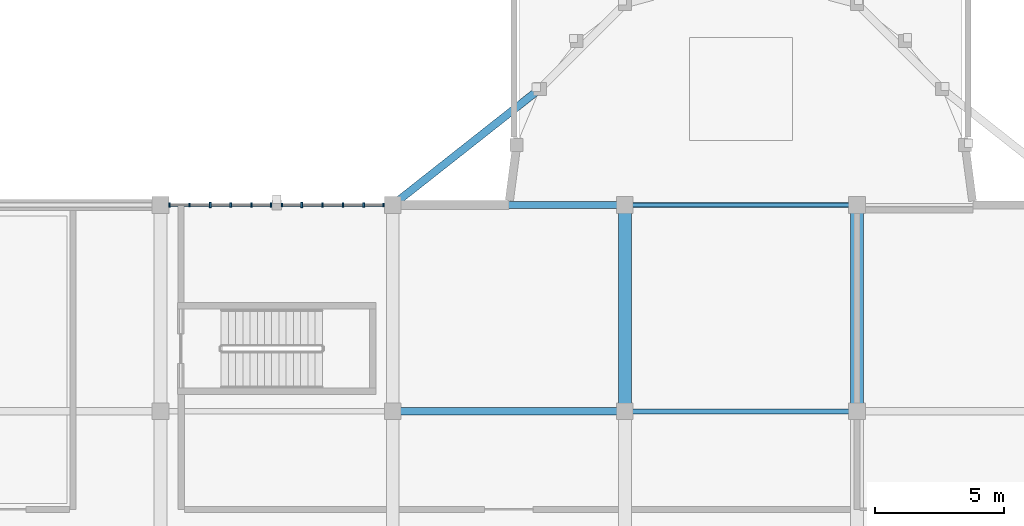
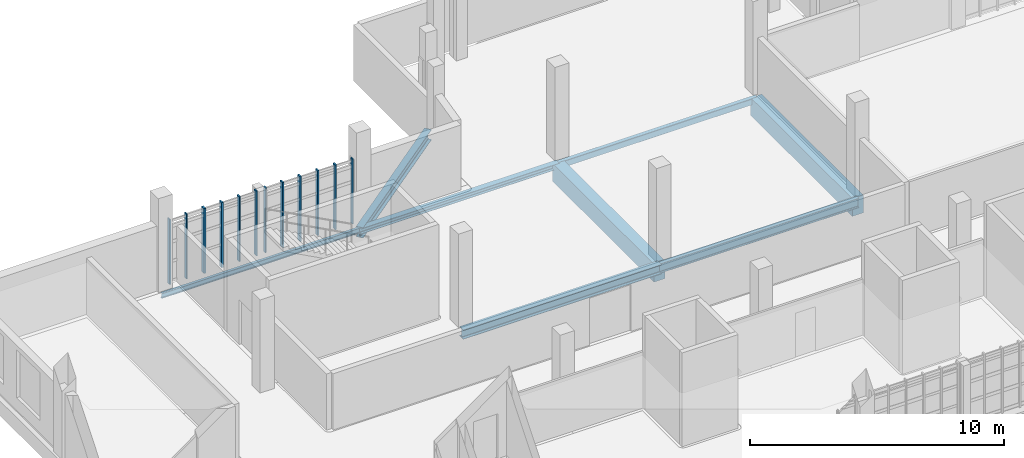
# One storey, part 24 of 125: 12 members, 8 beams, 2 elements without a shape of their own.
"""IFC4 building model written with IfcOpenShell, lengths in metres."""

from ifc_helpers import new_model, si_unit, direction, frame, origin, origin_2d, place, context, subcontext, project, spatial, rectangle, hollow_rectangle, i_section, extrude, material, material_profile, profile_set, type_object, element, aggregate, save


model = new_model("IFC4")

# Units and contexts
model_context = context("Model", 3, precision=1e-05, world=origin(), true_north=direction((0.0, 1.0)))
body_context = subcontext(model_context, "Body", "Model", "MODEL_VIEW")
ifc_project = project(units=[si_unit("LENGTHUNIT", "METRE"), si_unit("AREAUNIT", "SQUARE_METRE"), si_unit("VOLUMEUNIT", "CUBIC_METRE"), si_unit("PLANEANGLEUNIT", "RADIAN"), si_unit("MASSUNIT", "GRAM", prefix="KILO")], contexts=[model_context])

# Site, building, storey
site_placement = place(None, origin())
site = spatial("IfcSite", under=ifc_project, at=site_placement, CompositionType="ELEMENT")
building_placement = place(site_placement, origin())
building = spatial("IfcBuilding", under=site, at=building_placement, Name="Serraforn Aerial Cableway Station", CompositionType="ELEMENT")
storey_placement = place(building_placement, frame((0.0, 0.0, 4.5)))
storey = spatial("IfcBuildingStorey", under=building, at=storey_placement, Name="L01", CompositionType="ELEMENT", Elevation=4.5)

# Beams
ifc_material_1 = material(Name="Concrete C35/45", Category="concrete")
ifc_material_profile_1 = material_profile(ifc_material_1, rectangle(XDim=0.5, YDim=0.85009765625, at=origin_2d()), Name="RC 500x850")
ifc_profile_set_1 = profile_set([ifc_material_profile_1], Name="Concrete C35/45")
beam_type_1 = type_object("IfcBeamType", Name="BM-RC-500x850", PredefinedType="USERDEFINED", material=ifc_profile_set_1)
for number, where, z_axis, x_axis, name in (
    (1, (54.60009765625, 34.0, -0.7451171875), (0.0, 1.0, 0.0), (-1.0, 0.0, 0.0), "Grid Girder Y CV L01 X4-3"),
    (2, (63.60009765625, 34.0, -0.7451171875), (0.0, 1.0, 0.0), (-1.0, 0.0, 0.0), "Grid Girder Y CV L01 X5-3"),
):
    element("IfcBeam", number, at=place(storey_placement, frame(where, z_axis=z_axis, x_axis=x_axis)), inside=storey, type_object=beam_type_1, Name=name, ObjectType="GIRDER", PredefinedType="USERDEFINED", context=body_context, shape_type="SweptSolid", body=[
        extrude(rectangle(XDim=0.5, YDim=0.85009765625, at=origin_2d()), origin(), (0.0, 0.0, 1.0), 8.0),
    ])
ifc_material_2 = material(Name="Steel S355JR", Category="steel")
ifc_material_profile_2 = material_profile(ifc_material_2, i_section(OverallWidth=0.300048828125, OverallDepth=0.449951171875, WebThickness=0.011474609375, FlangeThickness=0.02099609375, FilletRadius=0.027099609375, at=origin_2d()), Name="HEA 450")
ifc_profile_set_2 = profile_set([ifc_material_profile_2], Name="Steel S355JR")
beam_type_2 = type_object("IfcBeamType", Name="BM-ST-HEA450", PredefinedType="USERDEFINED", material=ifc_profile_set_2)
beam_1_placement = place(storey_placement, frame((45.60009765625, 34.0, -0.544921875), z_axis=(1.0, 0.0, 0.0), x_axis=(0.0, 1.0, 0.0)))
element("IfcBeam", 3, at=beam_1_placement, inside=storey, type_object=beam_type_2, Name="Grid Girder X CV L01 Y3-3", ObjectType="GIRDER", PredefinedType="USERDEFINED", context=body_context, shape_type="SweptSolid", body=[
    extrude(i_section(OverallWidth=0.300048828125, OverallDepth=0.449951171875, WebThickness=0.011474609375, FlangeThickness=0.02099609375, FilletRadius=0.027099609375, at=origin_2d()), origin(), (0.0, 0.0, 1.0), 9.0),
])
ifc_material_3 = material(Name="Steel S355J2", Category="steel")
ifc_material_profile_3 = material_profile(ifc_material_3, i_section(OverallWidth=0.300048828125, OverallDepth=0.5, WebThickness=0.011962890625, FlangeThickness=0.02294921875, FilletRadius=0.027099609375, at=origin_2d()), Name="HEA 500")
ifc_profile_set_3 = profile_set([ifc_material_profile_3], Name="Steel S355J2")
beam_type_3 = type_object("IfcBeamType", Name="BM-ST-HEA500", PredefinedType="USERDEFINED", material=ifc_profile_set_3)
beam_2_placement = place(storey_placement, frame((45.60009765625, 42.0, -0.56494140625), z_axis=(0.785189683878, 0.619255327253, 0.0), x_axis=(-0.619255327253, 0.785189683878, 0.0)))
element("IfcBeam", 4, at=beam_2_placement, inside=storey, type_object=beam_type_3, Name="Apse Ring Girder L01-1", ObjectType="GIRDER", PredefinedType="USERDEFINED", context=body_context, shape_type="SweptSolid", body=[
    extrude(i_section(OverallWidth=0.300048828125, OverallDepth=0.5, WebThickness=0.011962890625, FlangeThickness=0.02294921875, FilletRadius=0.027099609375, at=origin_2d()), origin(), (0.0, 0.0, 1.0), 7.266845703125),
])
ifc_material_profile_4 = material_profile(ifc_material_3, i_section(OverallWidth=0.260009765625, OverallDepth=0.260009765625, WebThickness=0.010009765625, FlangeThickness=0.017578125, FilletRadius=0.02392578125, at=origin_2d()), Name="HEB 260")
ifc_profile_set_4 = profile_set([ifc_material_profile_4], Name="Steel S355J2")
beam_type_4 = type_object("IfcBeamType", Name="BM-ST-HEB260", PredefinedType="BEAM", material=ifc_profile_set_4)
beam_3_placement = place(storey_placement, frame((45.60009765625, 42.0, -0.449951171875), z_axis=(1.0, 0.0, 0.0), x_axis=(0.0, 1.0, 0.0)))
element("IfcBeam", 5, at=beam_3_placement, inside=storey, type_object=beam_type_4, Name="Grid Girder X CV L01 Y4-3", PredefinedType="BEAM", context=body_context, shape_type="SweptSolid", body=[
    extrude(i_section(OverallWidth=0.260009765625, OverallDepth=0.260009765625, WebThickness=0.010009765625, FlangeThickness=0.017578125, FilletRadius=0.02392578125, at=origin_2d()), origin(), (0.0, 0.0, 1.0), 9.0),
])
ifc_material_profile_5 = material_profile(ifc_material_2, i_section(OverallWidth=0.1201171875, OverallDepth=0.239990234375, WebThickness=0.006103515625, FlangeThickness=0.009765625, FilletRadius=0.014892578125, at=origin_2d()), Name="IPE 240")
ifc_profile_set_5 = profile_set([ifc_material_profile_5], Name="Steel S355JR")
beam_type_5 = type_object("IfcBeamType", Name="BM-ST-IPE240", PredefinedType="SPANDREL", material=ifc_profile_set_5)
beam_4_placement = place(storey_placement, frame((36.60009765625, 42.0, -0.43994140625), z_axis=(1.0, 0.0, 0.0), x_axis=(0.0, 1.0, 0.0)))
element("IfcBeam", 6, at=beam_4_placement, inside=storey, type_object=beam_type_5, Name="Grid Girder X CV L01 Y4-2", PredefinedType="SPANDREL", context=body_context, shape_type="SweptSolid", body=[
    extrude(i_section(OverallWidth=0.1201171875, OverallDepth=0.239990234375, WebThickness=0.006103515625, FlangeThickness=0.009765625, FilletRadius=0.014892578125, at=origin_2d()), origin(), (0.0, 0.0, 1.0), 9.0),
])
ifc_material_profile_6 = material_profile(ifc_material_2, i_section(OverallWidth=0.18994140625, OverallDepth=0.449951171875, WebThickness=0.009521484375, FlangeThickness=0.0146484375, FilletRadius=0.02099609375, at=origin_2d()), Name="IPE 450")
ifc_profile_set_6 = profile_set([ifc_material_profile_6], Name="Steel S355JR")
beam_type_6 = type_object("IfcBeamType", Name="BM-ST-IPE450", PredefinedType="BEAM", material=ifc_profile_set_6)
beam_5_placement = place(storey_placement, frame((54.60009765625, 34.0, -0.544921875), z_axis=(1.0, 0.0, 0.0), x_axis=(0.0, 1.0, 0.0)))
element("IfcBeam", 7, at=beam_5_placement, inside=storey, type_object=beam_type_6, Name="Grid Girder X CV L01 Y3-4", PredefinedType="BEAM", context=body_context, shape_type="SweptSolid", body=[
    extrude(i_section(OverallWidth=0.18994140625, OverallDepth=0.449951171875, WebThickness=0.009521484375, FlangeThickness=0.0146484375, FilletRadius=0.02099609375, at=origin_2d()), origin(), (0.0, 0.0, 1.0), 9.0),
])
ifc_material_profile_7 = material_profile(ifc_material_3, hollow_rectangle(XDim=0.199951171875, YDim=0.300048828125, WallThickness=0.012451171875, InnerFilletRadius=0.012451171875, OuterFilletRadius=0.02490234375, at=origin_2d()), Name="RHS 300x200x12.5")
ifc_profile_set_7 = profile_set([ifc_material_profile_7], Name="Steel S355J2")
beam_type_7 = type_object("IfcBeamType", Name="BM-ST-RHS300", PredefinedType="SPANDREL", material=ifc_profile_set_7)
beam_6_placement = place(storey_placement, frame((54.60009765625, 42.0, -0.469970703125), z_axis=(1.0, 0.0, 0.0), x_axis=(0.0, 1.0, 0.0)))
element("IfcBeam", 8, at=beam_6_placement, inside=storey, type_object=beam_type_7, Name="Grid Girder X CV L01 Y4-4", PredefinedType="SPANDREL", context=body_context, shape_type="SweptSolid", body=[
    extrude(hollow_rectangle(XDim=0.199951171875, YDim=0.300048828125, WallThickness=0.012451171875, InnerFilletRadius=0.012451171875, OuterFilletRadius=0.02490234375, at=origin_2d()), origin(), (0.0, 0.0, 1.0), 9.0),
])

# Curtain wall, members
ifc_material_4 = material(Name="Anodised bronze unitised curtain wall")
curtain_wall_type_1 = type_object("IfcCurtainWallType", Name="CW-SYS-19", PredefinedType="USERDEFINED", material=ifc_material_4)
curtain_wall_1_placement = place(storey_placement, origin())
curtain_wall_1 = element("IfcCurtainWall", 9, at=curtain_wall_1_placement, inside=storey, type_object=curtain_wall_type_1, Name="Unitised Curtain Wall CW-CV-L01-N2A", ObjectType="UNITISED CURTAIN WALL", PredefinedType="USERDEFINED")
ifc_material_5 = material(Name="Anodised bronze extruded aluminium", Category="aluminium")
ifc_material_profile_8 = material_profile(ifc_material_5, rectangle(XDim=0.054931640625, YDim=0.139892578125, at=origin_2d()), Name="CW MULLION 55x140")
ifc_profile_set_8 = profile_set([ifc_material_profile_8], Name="Anodised bronze extruded aluminium")
member_type_1 = type_object("IfcMemberType", Name="CW-MUL-1", PredefinedType="MULLION", material=ifc_profile_set_8)
member_1_placement = place(storey_placement, frame((45.24951171875, 42.0, 0.0), z_axis=(0.0, 0.0, 1.0), x_axis=(-1.0, 0.0, 0.0)))
member_1 = element("IfcMember", 10, at=member_1_placement, type_object=member_type_1, Name="Curtain Wall Mullion CW-CV-L01-N2A-M1", PredefinedType="MULLION", context=body_context, shape_type="SweptSolid", body=[
    extrude(rectangle(XDim=0.054931640625, YDim=0.139892578125, at=origin_2d()), origin(), (0.0, 0.0, 1.0), 3.1201171875),
])
member_2_placement = place(storey_placement, frame((41.3076171875, 42.0, 0.0), z_axis=(0.0, 0.0, 1.0), x_axis=(-1.0, 0.0, 0.0)))
member_2 = element("IfcMember", 11, at=member_2_placement, type_object=member_type_1, Name="Curtain Wall Mullion CW-CV-L01-N2A-M6", PredefinedType="MULLION", context=body_context, shape_type="SweptSolid", body=[
    extrude(rectangle(XDim=0.054931640625, YDim=0.139892578125, at=origin_2d()), origin(), (0.0, 0.0, 1.0), 3.1201171875),
])

# Curtain wall, member
curtain_wall_type_2 = type_object("IfcCurtainWallType", Name="CW-SYS-20", PredefinedType="USERDEFINED", material=ifc_material_4)
curtain_wall_2_placement = place(storey_placement, origin())
curtain_wall_2 = element("IfcCurtainWall", 12, at=curtain_wall_2_placement, inside=storey, type_object=curtain_wall_type_2, Name="Unitised Curtain Wall CW-CV-L01-N2B", ObjectType="UNITISED CURTAIN WALL", PredefinedType="USERDEFINED")
member_3_placement = place(storey_placement, frame((37.722412109375, 42.0, 0.0), z_axis=(0.0, 0.0, 1.0), x_axis=(-1.0, 0.0, 0.0)))
member_3 = element("IfcMember", 13, at=member_3_placement, type_object=member_type_1, Name="Curtain Wall Mullion CW-CV-L01-N2B-M5", PredefinedType="MULLION", context=body_context, shape_type="SweptSolid", body=[
    extrude(rectangle(XDim=0.054931640625, YDim=0.139892578125, at=origin_2d()), origin(), (0.0, 0.0, 1.0), 3.1201171875),
])

# Member
ifc_material_profile_9 = material_profile(ifc_material_5, rectangle(XDim=0.06005859375, YDim=0.159912109375, at=origin_2d()), Name="CW MULLION 60x160")
ifc_profile_set_9 = profile_set([ifc_material_profile_9], Name="Anodised bronze extruded aluminium")
member_type_2 = type_object("IfcMemberType", Name="CW-MUL-2", PredefinedType="MULLION", material=ifc_profile_set_9)
member_4_placement = place(storey_placement, frame((44.4775390625, 42.0, 0.0), z_axis=(0.0, 0.0, 1.0), x_axis=(-1.0, 0.0, 0.0)))
member_4 = element("IfcMember", 14, at=member_4_placement, type_object=member_type_2, Name="Curtain Wall Mullion CW-CV-L01-N2A-M2", PredefinedType="MULLION", context=body_context, shape_type="SweptSolid", body=[
    extrude(rectangle(XDim=0.06005859375, YDim=0.159912109375, at=origin_2d()), origin(), (0.0, 0.0, 1.0), 3.1201171875),
])

member_5_placement = place(storey_placement, frame((40.889892578125, 42.0, 0.0), z_axis=(0.0, 0.0, 1.0), x_axis=(-1.0, 0.0, 0.0)))
member_5 = element("IfcMember", 15, at=member_5_placement, type_object=member_type_2, Name="Curtain Wall Mullion CW-CV-L01-N2B-M1", PredefinedType="MULLION", context=body_context, shape_type="SweptSolid", body=[
    extrude(rectangle(XDim=0.06005859375, YDim=0.159912109375, at=origin_2d()), origin(), (0.0, 0.0, 1.0), 3.1201171875),
])

member_6_placement = place(storey_placement, frame((36.952880859375, 42.0, 0.0), z_axis=(0.0, 0.0, 1.0), x_axis=(-1.0, 0.0, 0.0)))
member_6 = element("IfcMember", 16, at=member_6_placement, type_object=member_type_2, Name="Curtain Wall Mullion CW-CV-L01-N2B-M6", PredefinedType="MULLION", context=body_context, shape_type="SweptSolid", body=[
    extrude(rectangle(XDim=0.06005859375, YDim=0.159912109375, at=origin_2d()), origin(), (0.0, 0.0, 1.0), 3.1201171875),
])

ifc_material_profile_10 = material_profile(ifc_material_5, rectangle(XDim=0.06494140625, YDim=0.175048828125, at=origin_2d()), Name="CW MULLION 65x175")
ifc_profile_set_10 = profile_set([ifc_material_profile_10], Name="Anodised bronze extruded aluminium")
member_type_3 = type_object("IfcMemberType", Name="CW-MUL-3", PredefinedType="MULLION", material=ifc_profile_set_10)
member_7_placement = place(storey_placement, frame((43.67822265625, 42.0, 0.0), z_axis=(0.0, 0.0, 1.0), x_axis=(-1.0, 0.0, 0.0)))
member_7 = element("IfcMember", 17, at=member_7_placement, type_object=member_type_3, Name="Curtain Wall Mullion CW-CV-L01-N2A-M3", PredefinedType="MULLION", context=body_context, shape_type="SweptSolid", body=[
    extrude(rectangle(XDim=0.06494140625, YDim=0.175048828125, at=origin_2d()), origin(), (0.0, 0.0, 1.0), 3.1201171875),
])

member_8_placement = place(storey_placement, frame((40.12060546875, 42.0, 0.0), z_axis=(0.0, 0.0, 1.0), x_axis=(-1.0, 0.0, 0.0)))
member_8 = element("IfcMember", 18, at=member_8_placement, type_object=member_type_3, Name="Curtain Wall Mullion CW-CV-L01-N2B-M2", PredefinedType="MULLION", context=body_context, shape_type="SweptSolid", body=[
    extrude(rectangle(XDim=0.06494140625, YDim=0.175048828125, at=origin_2d()), origin(), (0.0, 0.0, 1.0), 3.1201171875),
])

ifc_material_profile_11 = material_profile(ifc_material_5, rectangle(XDim=0.070068359375, YDim=0.18994140625, at=origin_2d()), Name="CW MULLION 70x190")
ifc_profile_set_11 = profile_set([ifc_material_profile_11], Name="Anodised bronze extruded aluminium")
member_type_4 = type_object("IfcMemberType", Name="CW-MUL-4", PredefinedType="MULLION", material=ifc_profile_set_11)
member_9_placement = place(storey_placement, frame((42.87890625, 42.0, 0.0), z_axis=(0.0, 0.0, 1.0), x_axis=(-1.0, 0.0, 0.0)))
member_9 = element("IfcMember", 19, at=member_9_placement, type_object=member_type_4, Name="Curtain Wall Mullion CW-CV-L01-N2A-M4", PredefinedType="MULLION", context=body_context, shape_type="SweptSolid", body=[
    extrude(rectangle(XDim=0.070068359375, YDim=0.18994140625, at=origin_2d()), origin(), (0.0, 0.0, 1.0), 3.1201171875),
])

member_10_placement = place(storey_placement, frame((39.3212890625, 42.0, 0.0), z_axis=(0.0, 0.0, 1.0), x_axis=(-1.0, 0.0, 0.0)))
member_10 = element("IfcMember", 20, at=member_10_placement, type_object=member_type_4, Name="Curtain Wall Mullion CW-CV-L01-N2B-M3", PredefinedType="MULLION", context=body_context, shape_type="SweptSolid", body=[
    extrude(rectangle(XDim=0.070068359375, YDim=0.18994140625, at=origin_2d()), origin(), (0.0, 0.0, 1.0), 3.1201171875),
])

ifc_material_profile_12 = material_profile(ifc_material_5, rectangle(XDim=0.074951171875, YDim=0.199951171875, at=origin_2d()), Name="CW MULLION 75x200")
ifc_profile_set_12 = profile_set([ifc_material_profile_12], Name="Anodised bronze extruded aluminium")
member_type_5 = type_object("IfcMemberType", Name="CW-MUL-5", PredefinedType="MULLION", material=ifc_profile_set_12)
member_11_placement = place(storey_placement, frame((42.079345703125, 42.0, 0.0), z_axis=(0.0, 0.0, 1.0), x_axis=(-1.0, 0.0, 0.0)))
member_11 = element("IfcMember", 21, at=member_11_placement, type_object=member_type_5, Name="Curtain Wall Mullion CW-CV-L01-N2A-M5", PredefinedType="MULLION", context=body_context, shape_type="SweptSolid", body=[
    extrude(rectangle(XDim=0.074951171875, YDim=0.199951171875, at=origin_2d()), origin(), (0.0, 0.0, 1.0), 3.1201171875),
])

aggregate(curtain_wall_1, [member_1, member_4, member_7, member_9, member_11, member_2])

member_12_placement = place(storey_placement, frame((38.521728515625, 42.0, 0.0), z_axis=(0.0, 0.0, 1.0), x_axis=(-1.0, 0.0, 0.0)))
member_12 = element("IfcMember", 22, at=member_12_placement, type_object=member_type_5, Name="Curtain Wall Mullion CW-CV-L01-N2B-M4", PredefinedType="MULLION", context=body_context, shape_type="SweptSolid", body=[
    extrude(rectangle(XDim=0.074951171875, YDim=0.199951171875, at=origin_2d()), origin(), (0.0, 0.0, 1.0), 3.1201171875),
])

aggregate(curtain_wall_2, [member_5, member_8, member_10, member_12, member_3, member_6])

save(model, "model.ifc")
